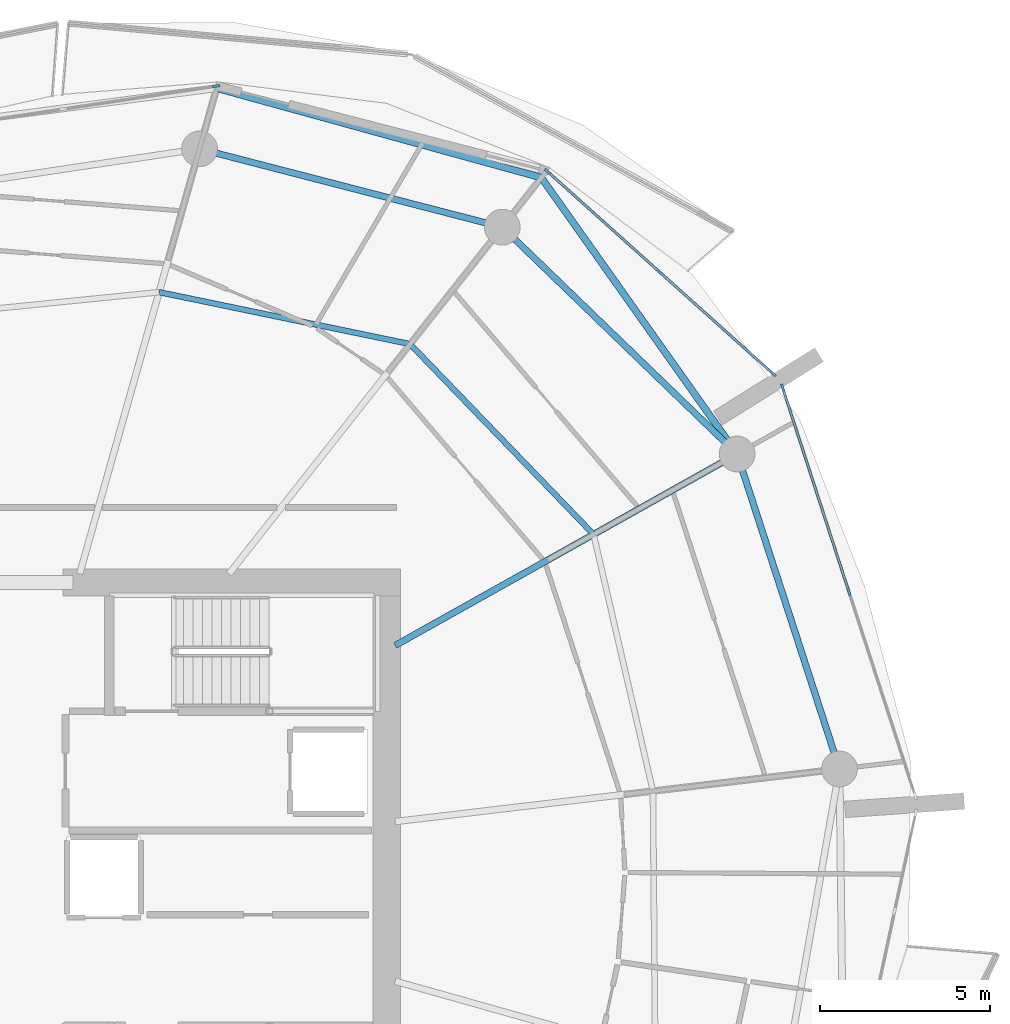
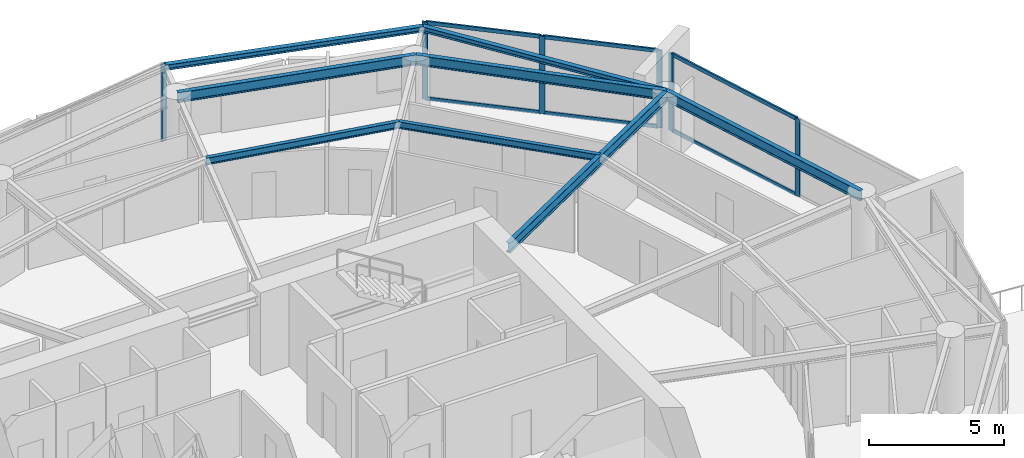
# One storey, part 9 of 20: 12 members, 8 beams, 3 elements without a shape of their own.
"""IFC4 building model written with IfcOpenShell, lengths in metres."""

from ifc_helpers import new_model, si_unit, direction, frame, origin, origin_2d, place, context, subcontext, project, spatial, rectangle, i_section, extrude, material, layer, layer_set, material_profile, profile_set, type_object, element, aggregate, save


model = new_model("IFC4")

# Units and contexts
model_context = context("Model", 3, precision=1e-05, world=origin(), true_north=direction((0.0, 1.0)))
body_context = subcontext(model_context, "Body", "Model", "MODEL_VIEW")
ifc_project = project(units=[si_unit("LENGTHUNIT", "METRE"), si_unit("AREAUNIT", "SQUARE_METRE"), si_unit("VOLUMEUNIT", "CUBIC_METRE"), si_unit("PLANEANGLEUNIT", "RADIAN"), si_unit("MASSUNIT", "GRAM", prefix="KILO")], contexts=[model_context])

# Site, building, storey
site_placement = place(None, origin())
site = spatial("IfcSite", under=ifc_project, at=site_placement, CompositionType="ELEMENT")
building_placement = place(site_placement, origin())
building = spatial("IfcBuilding", under=site, at=building_placement, Name="Kazma Halo Residences", CompositionType="ELEMENT")
storey_placement = place(building_placement, frame((0.0, 0.0, 150.300048828125)))
storey = spatial("IfcBuildingStorey", under=building, at=storey_placement, Name="L37", CompositionType="ELEMENT", Elevation=150.300048828125)

# Beams
ifc_material_1 = material(Name="Steel S355", Category="steel")
ifc_material_profile_1 = material_profile(ifc_material_1, i_section(OverallWidth=0.201904296875, OverallDepth=0.2470703125, WebThickness=0.00732421875, FlangeThickness=0.010986328125, FilletRadius=0.011962890625, at=origin_2d()), Name="W250x49.1")
ifc_profile_set_1 = profile_set([ifc_material_profile_1], Name="Steel S355")
beam_type_1 = type_object("IfcBeamType", Name="BM-BAL-CANT", PredefinedType="BEAM", material=ifc_profile_set_1)
beam_1_placement = place(storey_placement, frame((69.730224609375, 54.16943359375, 3.37646484375), z_axis=(-0.578203432081, 0.81589263456, 0.0), x_axis=(-0.81589263456, -0.578203432081, 0.0)))
element("IfcBeam", 1, at=beam_1_placement, inside=storey, type_object=beam_type_1, Name="L37 wave-balcony lead tie beam 01", PredefinedType="BEAM", context=body_context, shape_type="SweptSolid", body=[
    extrude(i_section(OverallWidth=0.201904296875, OverallDepth=0.2470703125, WebThickness=0.00732421875, FlangeThickness=0.010986328125, FilletRadius=0.011962890625, at=origin_2d()), origin(), (0.0, 0.0, 1.0), 9.9365234375),
])
beam_2_placement = place(storey_placement, frame((63.98486328125, 62.276611328125, 3.37646484375), z_axis=(-0.964045237638, 0.265738179019, 0.0), x_axis=(-0.265738179019, -0.964045237638, 0.0)))
element("IfcBeam", 2, at=beam_2_placement, inside=storey, type_object=beam_type_1, Name="L37 wave-balcony tie beam 02", PredefinedType="BEAM", context=body_context, shape_type="SweptSolid", body=[
    extrude(i_section(OverallWidth=0.201904296875, OverallDepth=0.2470703125, WebThickness=0.00732421875, FlangeThickness=0.010986328125, FilletRadius=0.011962890625, at=origin_2d()), origin(), (0.0, 0.0, 1.0), 9.880859375),
])
ifc_material_profile_2 = material_profile(ifc_material_1, i_section(OverallWidth=0.18994140625, OverallDepth=0.45703125, WebThickness=0.009033203125, FlangeThickness=0.014404296875, FilletRadius=0.01611328125, at=origin_2d()), Name="W460x74")
ifc_profile_set_2 = profile_set([ifc_material_profile_2], Name="Steel S355")
beam_type_2 = type_object("IfcBeamType", Name="BM-RAD-W460", PredefinedType="BEAM", material=ifc_profile_set_2)
beam_3_placement = place(storey_placement, frame((59.699951171875, 48.55224609375, 3.271484375), z_axis=(0.872497324456, 0.488618889132, 0.0), x_axis=(-0.488618889132, 0.872497324456, 0.0)))
element("IfcBeam", 3, at=beam_3_placement, inside=storey, type_object=beam_type_2, Name="L37 radial floor beam 01", PredefinedType="BEAM", context=body_context, shape_type="SweptSolid", body=[
    extrude(i_section(OverallWidth=0.18994140625, OverallDepth=0.45703125, WebThickness=0.009033203125, FlangeThickness=0.014404296875, FilletRadius=0.01611328125, at=origin_2d()), origin(), (0.0, 0.0, 1.0), 11.49609375),
])
ifc_material_profile_3 = material_profile(ifc_material_1, i_section(OverallWidth=0.1650390625, OverallDepth=0.31005859375, WebThickness=0.005859375, FlangeThickness=0.009765625, FilletRadius=0.011962890625, at=origin_2d()), Name="W310x38.7")
ifc_profile_set_3 = profile_set([ifc_material_profile_3], Name="Steel S355")
beam_type_3 = type_object("IfcBeamType", Name="BM-SEC-W310B", PredefinedType="JOIST", material=ifc_profile_set_3)
beam_4_placement = place(storey_placement, frame((65.517578125, 51.810302734375, 3.344970703125), z_axis=(-0.694049338985, 0.719927437354, 0.0), x_axis=(-0.719927437354, -0.694049338985, 0.0)))
element("IfcBeam", 4, at=beam_4_placement, inside=storey, type_object=beam_type_3, Name="L37 circumferential floor joist 01", PredefinedType="JOIST", context=body_context, shape_type="SweptSolid", body=[
    extrude(i_section(OverallWidth=0.1650390625, OverallDepth=0.31005859375, WebThickness=0.005859375, FlangeThickness=0.009765625, FilletRadius=0.011962890625, at=origin_2d()), origin(), (0.0, 0.0, 1.0), 7.7548828125),
])
beam_5_placement = place(storey_placement, frame((60.13525390625, 57.393310546875, 3.344970703125), z_axis=(-0.979272189631, 0.202548706773, 0.0), x_axis=(-0.202548706773, -0.979272189631, 0.0)))
element("IfcBeam", 5, at=beam_5_placement, inside=storey, type_object=beam_type_3, Name="L37 circumferential floor joist 02", PredefinedType="JOIST", context=body_context, shape_type="SweptSolid", body=[
    extrude(i_section(OverallWidth=0.1650390625, OverallDepth=0.31005859375, WebThickness=0.005859375, FlangeThickness=0.009765625, FilletRadius=0.011962890625, at=origin_2d()), origin(), (0.0, 0.0, 1.0), 7.52001953125),
])
ifc_material_profile_4 = material_profile(ifc_material_1, i_section(OverallWidth=0.18994140625, OverallDepth=0.45703125, WebThickness=0.009033203125, FlangeThickness=0.014404296875, FilletRadius=0.01611328125, at=origin_2d()), Name="W460x74")
ifc_profile_set_4 = profile_set([ifc_material_profile_4], Name="Steel S355")
beam_type_4 = type_object("IfcBeamType", Name="BM-SPN-W460", PredefinedType="BEAM", material=ifc_profile_set_4)
beam_6_placement = place(storey_placement, frame((69.730224609375, 54.16943359375, 3.271484375), z_axis=(-0.719334705845, 0.694663645923, 0.0), x_axis=(-0.694663645923, -0.719334705845, 0.0)))
element("IfcBeam", 6, at=beam_6_placement, inside=storey, type_object=beam_type_4, Name="L37 perimeter ring beam 01", PredefinedType="BEAM", context=body_context, shape_type="SweptSolid", body=[
    extrude(i_section(OverallWidth=0.18994140625, OverallDepth=0.45703125, WebThickness=0.009033203125, FlangeThickness=0.014404296875, FilletRadius=0.01611328125, at=origin_2d()), origin(), (0.0, 0.0, 1.0), 9.5791015625),
])
beam_7_placement = place(storey_placement, frame((62.839599609375, 60.82373046875, 3.271484375), z_axis=(-0.968123664213, 0.250472694699, 0.0), x_axis=(-0.250472694699, -0.968123664213, 0.0)))
element("IfcBeam", 7, at=beam_7_placement, inside=storey, type_object=beam_type_4, Name="L37 perimeter ring beam 02", PredefinedType="BEAM", context=body_context, shape_type="SweptSolid", body=[
    extrude(i_section(OverallWidth=0.18994140625, OverallDepth=0.45703125, WebThickness=0.009033203125, FlangeThickness=0.014404296875, FilletRadius=0.01611328125, at=origin_2d()), origin(), (0.0, 0.0, 1.0), 9.175048828125),
])
beam_8_placement = place(storey_placement, frame((72.733154296875, 44.927490234375, 3.271484375), z_axis=(-0.309020741629, 0.95105529873, 0.0), x_axis=(-0.95105529873, -0.309020741629, 0.0)))
element("IfcBeam", 8, at=beam_8_placement, inside=storey, type_object=beam_type_4, Name="L37 perimeter ring beam 16", PredefinedType="BEAM", context=body_context, shape_type="SweptSolid", body=[
    extrude(i_section(OverallWidth=0.18994140625, OverallDepth=0.45703125, WebThickness=0.009033203125, FlangeThickness=0.014404296875, FilletRadius=0.01611328125, at=origin_2d()), origin(), (0.0, 0.0, 1.0), 9.717529296875),
])

# Curtain wall, members
ifc_material_2 = material(Name="Aluminium AW-6063 T6 and Triple-Silver Low-E Glass", Category="aluminium")
ifc_layer = layer(ifc_material_2, 0.219970703125)
ifc_layer_set = layer_set([ifc_layer], Name="Aluminium AW-6063 T6 and Triple-Silver Low-E Glass")
curtain_wall_type = type_object("IfcCurtainWallType", Name="CW-SYS-4", PredefinedType="NOTDEFINED", material=ifc_layer_set)
curtain_wall_1_placement = place(storey_placement, origin())
curtain_wall_1 = element("IfcCurtainWall", 9, at=curtain_wall_1_placement, inside=storey, type_object=curtain_wall_type, Name="L37 unitised curtain wall B01", PredefinedType="NOTDEFINED")
ifc_material_3 = material(Name="Aluminium AW-6063 T6", Category="aluminium")
ifc_material_profile_5 = material_profile(ifc_material_3, rectangle(XDim=0.074951171875, YDim=0.219970703125, at=origin_2d()), Name="CWM-75x220")
ifc_profile_set_5 = profile_set([ifc_material_profile_5], Name="Aluminium AW-6063 T6")
member_type_1 = type_object("IfcMemberType", Name="CW-SYS-4-MUL", PredefinedType="MULLION", material=ifc_profile_set_5)
member_1_placement = place(storey_placement, frame((70.778564453125, 56.5263671875, 0.0), z_axis=(0.0, 0.0, 1.0), x_axis=(-0.667770096247, -0.744367582957, 0.0)))
member_1 = element("IfcMember", 10, at=member_1_placement, type_object=member_type_1, Name="CWS-4 mullion 1", PredefinedType="MULLION", context=body_context, shape_type="SweptSolid", body=[
    extrude(rectangle(XDim=0.074951171875, YDim=0.219970703125, at=origin_2d()), origin(), (0.0, 0.0, 1.0), 3.5),
])
member_2_placement = place(storey_placement, frame((67.47509765625, 59.48974609375, 0.0), z_axis=(0.0, 0.0, 1.0), x_axis=(-0.667770096247, -0.744367582957, 0.0)))
member_2 = element("IfcMember", 11, at=member_2_placement, type_object=member_type_1, Name="CWS-4 mullion 2", PredefinedType="MULLION", context=body_context, shape_type="SweptSolid", body=[
    extrude(rectangle(XDim=0.074951171875, YDim=0.219970703125, at=origin_2d()), origin(), (0.0, 0.0, 1.0), 3.5),
])
member_3_placement = place(storey_placement, frame((64.171630859375, 62.453369140625, 0.0), z_axis=(0.0, 0.0, 1.0), x_axis=(-0.667770096247, -0.744367582957, 0.0)))
member_3 = element("IfcMember", 12, at=member_3_placement, type_object=member_type_1, Name="CWS-4 mullion 3", PredefinedType="MULLION", context=body_context, shape_type="SweptSolid", body=[
    extrude(rectangle(XDim=0.074951171875, YDim=0.219970703125, at=origin_2d()), origin(), (0.0, 0.0, 1.0), 3.5),
])

# Curtain wall, member
curtain_wall_2_placement = place(storey_placement, origin())
curtain_wall_2 = element("IfcCurtainWall", 13, at=curtain_wall_2_placement, inside=storey, type_object=curtain_wall_type, Name="L37 unitised curtain wall B03", PredefinedType="NOTDEFINED")
member_4_placement = place(storey_placement, frame((54.440673828125, 64.962890625, 0.0), z_axis=(0.0, 0.0, 1.0), x_axis=(0.148821022686, -0.988864148004, 0.0)))
member_4 = element("IfcMember", 14, at=member_4_placement, type_object=member_type_1, Name="CWS-4 mullion 1", PredefinedType="MULLION", context=body_context, shape_type="SweptSolid", body=[
    extrude(rectangle(XDim=0.074951171875, YDim=0.219970703125, at=origin_2d()), origin(), (0.0, 0.0, 1.0), 3.5),
])
aggregate(curtain_wall_2, [member_4])

# Curtain wall, members
curtain_wall_3_placement = place(storey_placement, origin())
curtain_wall_3 = element("IfcCurtainWall", 15, at=curtain_wall_3_placement, inside=storey, type_object=curtain_wall_type, Name="L37 unitised curtain wall B16", PredefinedType="NOTDEFINED")
member_5_placement = place(storey_placement, frame((73.009033203125, 50.1259765625, 0.0), z_axis=(0.0, 0.0, 1.0), x_axis=(-0.951057547609, -0.3090138203, 0.0)))
member_5 = element("IfcMember", 16, at=member_5_placement, type_object=member_type_1, Name="CWS-4 mullion 2", PredefinedType="MULLION", context=body_context, shape_type="SweptSolid", body=[
    extrude(rectangle(XDim=0.074951171875, YDim=0.219970703125, at=origin_2d()), origin(), (0.0, 0.0, 1.0), 3.5),
])
member_6_placement = place(storey_placement, frame((71.062255859375, 56.117431640625, 0.0), z_axis=(0.0, 0.0, 1.0), x_axis=(-0.951057547609, -0.3090138203, 0.0)))
member_6 = element("IfcMember", 17, at=member_6_placement, type_object=member_type_1, Name="CWS-4 mullion 3", PredefinedType="MULLION", context=body_context, shape_type="SweptSolid", body=[
    extrude(rectangle(XDim=0.074951171875, YDim=0.219970703125, at=origin_2d()), origin(), (0.0, 0.0, 1.0), 3.5),
])

# Member
ifc_material_profile_6 = material_profile(ifc_material_3, rectangle(XDim=0.074951171875, YDim=0.1650390625, at=origin_2d()), Name="CWT-75x165")
ifc_profile_set_6 = profile_set([ifc_material_profile_6], Name="Aluminium AW-6063 T6")
member_type_2 = type_object("IfcMemberType", Name="CW-SYS-4-TRN", PredefinedType="USERDEFINED", material=ifc_profile_set_6)
member_7_placement = place(storey_placement, frame((70.75048828125, 56.55126953125, 0.037353515625), z_axis=(-0.744344978888, 0.66779529229, 0.0), x_axis=(-0.66779529229, -0.744344978888, 0.0)))
member_7 = element("IfcMember", 18, at=member_7_placement, type_object=member_type_2, Name="CWS-4 transom 1.1", ObjectType="TRANSOM", PredefinedType="USERDEFINED", context=body_context, shape_type="SweptSolid", body=[
    extrude(rectangle(XDim=0.074951171875, YDim=0.1650390625, at=origin_2d()), origin(), (0.0, 0.0, 1.0), 4.363037109375),
])

member_8_placement = place(storey_placement, frame((70.75048828125, 56.55126953125, 3.46240234375), z_axis=(-0.744344978888, 0.66779529229, 0.0), x_axis=(-0.66779529229, -0.744344978888, 0.0)))
member_8 = element("IfcMember", 19, at=member_8_placement, type_object=member_type_2, Name="CWS-4 transom 1.2", ObjectType="TRANSOM", PredefinedType="USERDEFINED", context=body_context, shape_type="SweptSolid", body=[
    extrude(rectangle(XDim=0.074951171875, YDim=0.1650390625, at=origin_2d()), origin(), (0.0, 0.0, 1.0), 4.363037109375),
])

member_9_placement = place(storey_placement, frame((67.447265625, 59.514892578125, 0.037353515625), z_axis=(-0.744372794017, 0.667764287401, 0.0), x_axis=(-0.667764287401, -0.744372794017, 0.0)))
member_9 = element("IfcMember", 20, at=member_9_placement, type_object=member_type_2, Name="CWS-4 transom 2.1", ObjectType="TRANSOM", PredefinedType="USERDEFINED", context=body_context, shape_type="SweptSolid", body=[
    extrude(rectangle(XDim=0.074951171875, YDim=0.1650390625, at=origin_2d()), origin(), (0.0, 0.0, 1.0), 4.36279296875),
])

member_10_placement = place(storey_placement, frame((67.447265625, 59.514892578125, 3.46240234375), z_axis=(-0.744372794017, 0.667764287401, 0.0), x_axis=(-0.667764287401, -0.744372794017, 0.0)))
member_10 = element("IfcMember", 21, at=member_10_placement, type_object=member_type_2, Name="CWS-4 transom 2.2", ObjectType="TRANSOM", PredefinedType="USERDEFINED", context=body_context, shape_type="SweptSolid", body=[
    extrude(rectangle(XDim=0.074951171875, YDim=0.1650390625, at=origin_2d()), origin(), (0.0, 0.0, 1.0), 4.36279296875),
])

aggregate(curtain_wall_1, [member_1, member_2, member_3, member_7, member_8, member_9, member_10])

member_11_placement = place(storey_placement, frame((72.99755859375, 50.16162109375, 0.037353515625), z_axis=(-0.309017784977, 0.951056259413, 0.0), x_axis=(-0.951056259413, -0.309017784977, 0.0)))
member_11 = element("IfcMember", 22, at=member_11_placement, type_object=member_type_2, Name="CWS-4 transom 2.1", ObjectType="TRANSOM", PredefinedType="USERDEFINED", context=body_context, shape_type="SweptSolid", body=[
    extrude(rectangle(XDim=0.074951171875, YDim=0.1650390625, at=origin_2d()), origin(), (0.0, 0.0, 1.0), 6.224853515625),
])

member_12_placement = place(storey_placement, frame((72.99755859375, 50.16162109375, 3.46240234375), z_axis=(-0.309017784977, 0.951056259413, 0.0), x_axis=(-0.951056259413, -0.309017784977, 0.0)))
member_12 = element("IfcMember", 23, at=member_12_placement, type_object=member_type_2, Name="CWS-4 transom 2.2", ObjectType="TRANSOM", PredefinedType="USERDEFINED", context=body_context, shape_type="SweptSolid", body=[
    extrude(rectangle(XDim=0.074951171875, YDim=0.1650390625, at=origin_2d()), origin(), (0.0, 0.0, 1.0), 6.224853515625),
])

aggregate(curtain_wall_3, [member_5, member_6, member_11, member_12])

save(model, "model.ifc")
